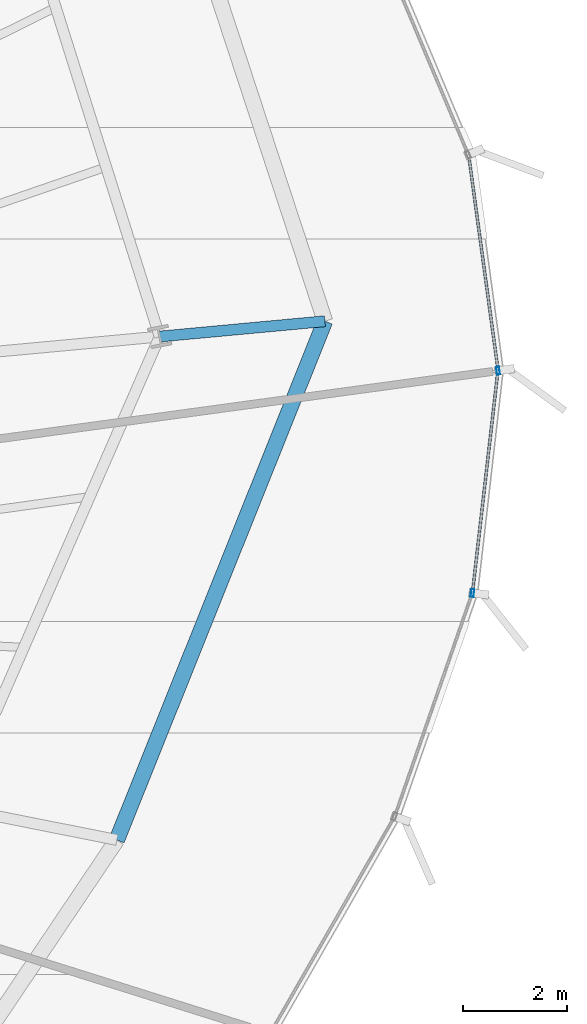
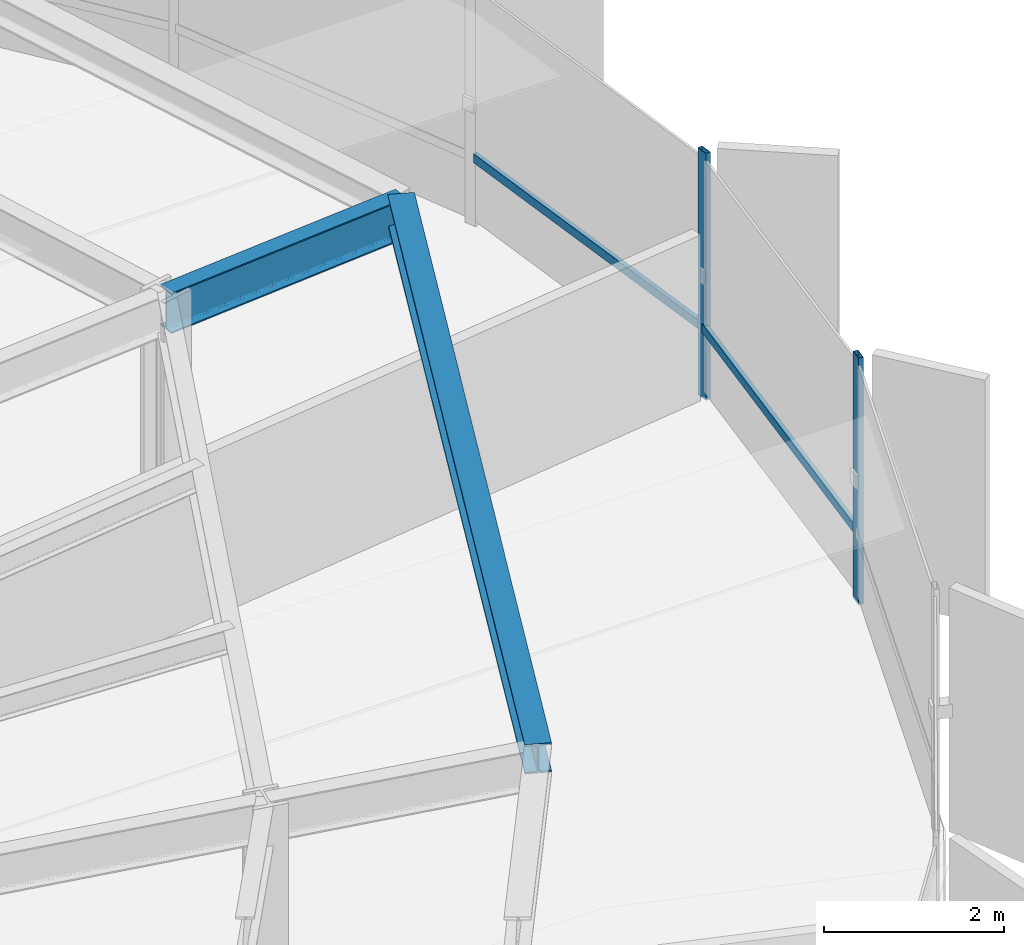
# One storey, part 16 of 35: 4 members, 2 beams, 1 element without a shape of its own.
"""IFC4 building model written with IfcOpenShell, lengths in metres."""

from ifc_helpers import new_model, si_unit, direction, frame, origin, origin_2d, place, context, subcontext, project, spatial, hollow_rectangle, i_section, extrude, source, transform, mapped, material, layer, layer_set, material_profile, profile_set, type_object, element, aggregate, save


model = new_model("IFC4")

# Units and contexts
model_context = context("Model", 3, precision=1e-05, world=origin(), true_north=direction((0.0, 1.0)))
body_context = subcontext(model_context, "Body", "Model", "MODEL_VIEW")
ifc_project = project(units=[si_unit("LENGTHUNIT", "METRE"), si_unit("AREAUNIT", "SQUARE_METRE"), si_unit("VOLUMEUNIT", "CUBIC_METRE"), si_unit("PLANEANGLEUNIT", "RADIAN"), si_unit("MASSUNIT", "GRAM", prefix="KILO"), si_unit("THERMODYNAMICTEMPERATUREUNIT", "KELVIN")], contexts=[model_context])

# Site, building, storey
site_placement = place(None, origin())
site = spatial("IfcSite", under=ifc_project, at=site_placement, CompositionType="ELEMENT")
building_placement = place(site_placement, origin())
building = spatial("IfcBuilding", under=site, at=building_placement, Name="Kethvar Cultural Tower", CompositionType="ELEMENT")
storey_placement = place(building_placement, frame((0.0, 0.0, 96.39990234375)))
storey = spatial("IfcBuildingStorey", under=building, at=storey_placement, Name="L23", CompositionType="ELEMENT", Elevation=96.39990234375)

# Beams
ifc_material_1 = material(Name="Steel S355J2", Category="steel")
ifc_material_profile_1 = material_profile(ifc_material_1, i_section(OverallWidth=0.2099609375, OverallDepth=0.550048828125, WebThickness=0.010986328125, FlangeThickness=0.01708984375, FilletRadius=0.02392578125, at=origin_2d()), Name="Steel S355J2 — IPE550")
ifc_profile_set_1 = profile_set([ifc_material_profile_1], Name="Steel S355J2 — IPE550")
beam_type_1 = type_object("IfcBeamType", Name="BM-IPE550", PredefinedType="BEAM", material=ifc_profile_set_1)
shared_shape_1 = source(origin(), body_context, "Body", "SweptSolid", [
    extrude(i_section(OverallWidth=0.2099609375, OverallDepth=0.550048828125, WebThickness=0.010986328125, FlangeThickness=0.01708984375, FilletRadius=0.02392578125, at=origin_2d()), origin(), (0.0, 0.0, 1.0), 3.199951171875),
])
beam_1_placement = place(storey_placement, frame((71.6025390625, 32.7333984375, 3.072998046875), z_axis=(0.995729641608, 0.092317283453, 0.0), x_axis=(-0.092317283453, 0.995729641608, 0.0)))
element("IfcBeam", 1, at=beam_1_placement, inside=storey, type_object=beam_type_1, Name="L23 Perimeter Cantilever Beam RC-01", PredefinedType="BEAM", context=body_context, shape_type="MappedRepresentation", body=[
    mapped(shared_shape_1, transform((0.0, 0.0, 0.0), scale=1.0)),
])
ifc_material_profile_2 = material_profile(ifc_material_1, i_section(OverallWidth=0.300048828125, OverallDepth=0.39990234375, WebThickness=0.013427734375, FlangeThickness=0.02392578125, FilletRadius=0.027099609375, at=origin_2d()), Name="Steel S355J2 — HEB400")
ifc_profile_set_2 = profile_set([ifc_material_profile_2], Name="Steel S355J2 — HEB400")
beam_type_2 = type_object("IfcBeamType", Name="BM-SP400", PredefinedType="SPANDREL", material=ifc_profile_set_2)
shared_shape_2 = source(origin(), body_context, "Body", "SweptSolid", [
    extrude(i_section(OverallWidth=0.300048828125, OverallDepth=0.39990234375, WebThickness=0.013427734375, FlangeThickness=0.02392578125, FilletRadius=0.027099609375, at=origin_2d()), origin(), (0.0, 0.0, 1.0), 10.773193359375),
])
beam_2_placement = place(storey_placement, frame((70.777099609375, 23.030517578125, 3.148193359375), z_axis=(0.372382905959, 0.928079183771, 0.0), x_axis=(-0.928079183771, 0.372382905959, 0.0)))
element("IfcBeam", 2, at=beam_2_placement, inside=storey, type_object=beam_type_2, Name="L23 Perimeter Spandrel Beam SP-16", PredefinedType="SPANDREL", context=body_context, shape_type="MappedRepresentation", body=[
    mapped(shared_shape_2, transform((0.0, 0.0, 0.0), scale=1.0)),
])

# Curtain wall, members
ifc_material_2 = material(Name="Aluminium 6063-T6", Category="aluminium")
ifc_layer = layer(ifc_material_2, 0.179931640625, Name="Aluminium 6063-T6", Category="aluminium")
ifc_layer_set = layer_set([ifc_layer], Name="Aluminium 6063-T6 (180 mm)")
curtain_wall_type = type_object("IfcCurtainWallType", Name="CW-SYS-03-Z2", PredefinedType="NOTDEFINED", material=ifc_layer_set)
curtain_wall_placement = place(storey_placement, origin())
curtain_wall = element("IfcCurtainWall", 3, at=curtain_wall_placement, inside=storey, type_object=curtain_wall_type, Name="L23 Curtain Wall Run 06", PredefinedType="NOTDEFINED")
ifc_material_profile_3 = material_profile(ifc_material_2, hollow_rectangle(XDim=0.06005859375, YDim=0.14990234375, WallThickness=0.0048828125, at=origin_2d()), Name="Aluminium 6063-T6 — RHS150x60x5")
ifc_profile_set_3 = profile_set([ifc_material_profile_3], Name="Aluminium 6063-T6 — RHS150x60x5")
member_type_1 = type_object("IfcMemberType", Name="CW-SYS-03-Z2-MUL", PredefinedType="MULLION", material=ifc_profile_set_3)
shared_shape_3 = source(origin(), body_context, "Body", "SweptSolid", [
    extrude(hollow_rectangle(XDim=0.06005859375, YDim=0.14990234375, WallThickness=0.0048828125, at=origin_2d()), origin(), (0.0, 0.0, 1.0), 3.35009765625),
])
member_1_placement = place(storey_placement, frame((77.63134765625, 27.788818359375, 0.0), z_axis=(0.0, 0.0, 1.0), x_axis=(-0.993490594777, 0.113914169833, 0.0)))
member_1 = element("IfcMember", 4, at=member_1_placement, type_object=member_type_1, Name="CW-L23-R06 Mullion 5", PredefinedType="MULLION", context=body_context, shape_type="MappedRepresentation", body=[
    mapped(shared_shape_3, transform((0.0, 0.0, 0.0), scale=1.0)),
])
member_2_placement = place(storey_placement, frame((78.12646484375, 32.074951171875, 0.0), z_axis=(0.0, 0.0, 1.0), x_axis=(-0.990795153782, -0.135369727936, 0.0)))
member_2 = element("IfcMember", 5, at=member_2_placement, type_object=member_type_1, Name="CW-L23-R06 Mullion 6", PredefinedType="MULLION", context=body_context, shape_type="MappedRepresentation", body=[
    mapped(shared_shape_3, transform((0.0, 0.0, 0.0), scale=1.0)),
])
ifc_material_profile_4 = material_profile(ifc_material_2, hollow_rectangle(XDim=0.054931640625, YDim=0.1201171875, WallThickness=0.00390625, at=origin_2d()), Name="Aluminium 6063-T6 — RHS120x55x4")
ifc_profile_set_4 = profile_set([ifc_material_profile_4], Name="Aluminium 6063-T6 — RHS120x55x4")
member_type_2 = type_object("IfcMemberType", Name="CW-SYS-03-Z2-TRN", PredefinedType="USERDEFINED", material=ifc_profile_set_4)
shared_shape_4 = source(origin(), body_context, "Body", "SweptSolid", [
    extrude(hollow_rectangle(XDim=0.054931640625, YDim=0.1201171875, WallThickness=0.00390625, at=origin_2d()), origin(), (0.0, 0.0, 1.0), 4.256591796875),
])
member_3_placement = place(storey_placement, frame((77.636474609375, 27.831787109375, 0.9501953125), z_axis=(0.113849072997, 0.993498056655, 0.0), x_axis=(-0.993498056655, 0.113849072997, 0.0)))
member_3 = element("IfcMember", 6, at=member_3_placement, type_object=member_type_2, Name="CW-L23-R06 Transom 5", ObjectType="TRANSOM", PredefinedType="USERDEFINED", context=body_context, shape_type="MappedRepresentation", body=[
    mapped(shared_shape_4, transform((0.0, 0.0, 0.0), scale=1.0)),
])
shared_shape_5 = source(origin(), body_context, "Body", "SweptSolid", [
    extrude(hollow_rectangle(XDim=0.054931640625, YDim=0.1201171875, WallThickness=0.00390625, at=origin_2d()), origin(), (0.0, 0.0, 1.0), 4.107421875),
])
member_4_placement = place(storey_placement, frame((78.12060546875, 32.117919921875, 0.9501953125), z_axis=(-0.13534396657, 0.990798673149, 0.0), x_axis=(-0.990798673149, -0.13534396657, 0.0)))
member_4 = element("IfcMember", 7, at=member_4_placement, type_object=member_type_2, Name="CW-L23-R06 Transom 6", ObjectType="TRANSOM", PredefinedType="USERDEFINED", context=body_context, shape_type="MappedRepresentation", body=[
    mapped(shared_shape_5, transform((0.0, 0.0, 0.0), scale=1.0)),
])
aggregate(curtain_wall, [member_1, member_2, member_3, member_4])

save(model, "model.ifc")
